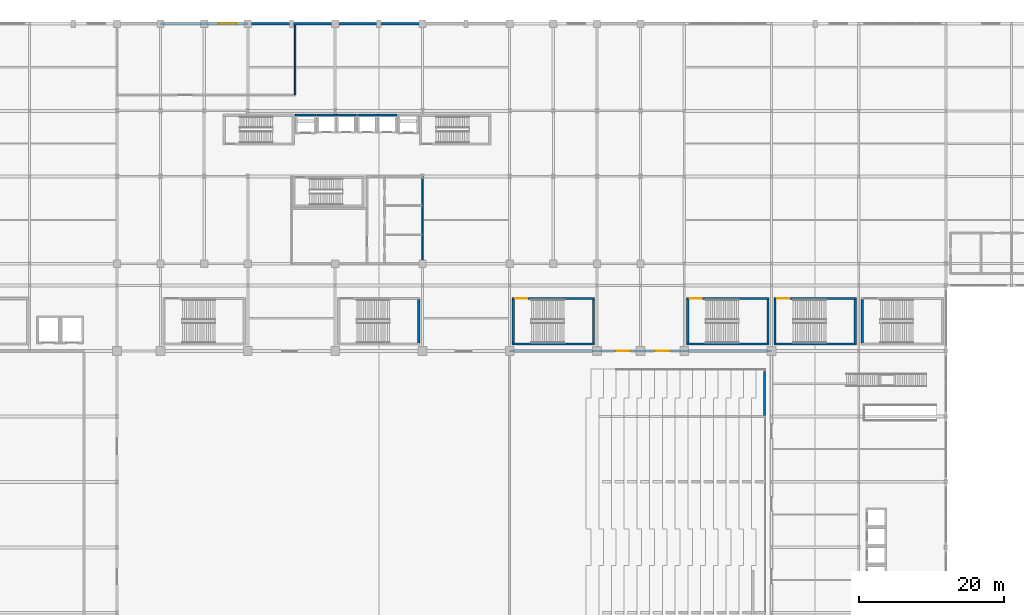
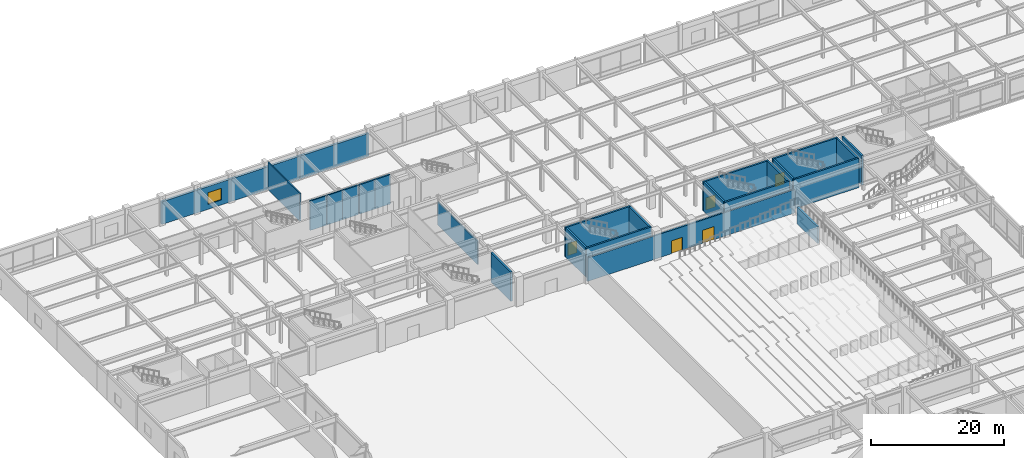
# One storey, part 85 of 100: 26 walls, 5 doors, 1 window, 6 openings.
"""IFC4 building model written with IfcOpenShell, lengths in metres."""

from ifc_helpers import new_model, si_unit, direction, frame, frame_2d, origin, place, context, subcontext, project, spatial, rectangle, extrude, material, layer, layer_set, type_object, element, fill, save


model = new_model("IFC4")

# Units and contexts
model_context = context("Model", 3, precision=1e-05, world=origin(), true_north=direction((0.0, 1.0)))
body_context = subcontext(model_context, "Body", "Model", "MODEL_VIEW")
ifc_project = project(units=[si_unit("LENGTHUNIT", "METRE"), si_unit("AREAUNIT", "SQUARE_METRE"), si_unit("VOLUMEUNIT", "CUBIC_METRE"), si_unit("PLANEANGLEUNIT", "RADIAN"), si_unit("MASSUNIT", "GRAM", prefix="KILO")], contexts=[model_context])

# Site, building, storey
site_placement = place(None, origin())
site = spatial("IfcSite", under=ifc_project, at=site_placement, CompositionType="ELEMENT")
building_placement = place(site_placement, origin())
building = spatial("IfcBuilding", under=site, at=building_placement, Name="Kaldorvane Square Convention Centre", CompositionType="ELEMENT")
storey_placement = place(building_placement, frame((0.0, 0.0, 18.0)))
storey = spatial("IfcBuildingStorey", under=building, at=storey_placement, Name="L03", CompositionType="ELEMENT", Elevation=18.0)

# Wall, openings, doors
ifc_material_1 = material(Name="Reinforced Concrete Masonry Acoustic Partition", Category="masonry")
ifc_layer_1 = layer(ifc_material_1, 0.279998779296875)
ifc_layer_set_1 = layer_set([ifc_layer_1], Name="Reinforced Concrete Masonry Acoustic Partition")
wall_type_1 = type_object("IfcWallType", Name="WL-ACO-280", PredefinedType="PARTITIONING", material=ifc_layer_set_1)
wall_1_placement = place(storey_placement, frame((114.0, 72.0, 0.0), z_axis=(0.0, 0.0, 1.0), x_axis=(-1.0, 0.0, 0.0)))
wall_1 = element("IfcWall", 1, at=wall_1_placement, inside=storey, type_object=wall_type_1, Name="Plenary Hall N Wall", PredefinedType="PARTITIONING", context=body_context, shape_type="SweptSolid", body=[
    extrude(rectangle(XDim=36.0, YDim=0.279998779296875, at=frame_2d((18.0, 0.0))), origin(), (0.0, 0.0, 1.0), 4.302001953125),
])
opening_1_placement = place(wall_1_placement, frame((14.0, 0.0, 0.0)))
opening_1 = element("IfcOpeningElement", 2, at=opening_1_placement, cuts=wall_1, Name="Opening ID-04", PredefinedType="OPENING", context=body_context, shape_type="SweptSolid", body=[
    extrude(rectangle(XDim=2.0, YDim=2.399993896484375, at=frame_2d((1.0, 1.1999969482421875))), frame((0.0, 0.154998779296875, 0.0), z_axis=(0.0, -1.0, 0.0), x_axis=(1.0, 0.0, 0.0)), (0.0, 0.0, 1.0), 0.30999755859375),
])
opening_2_placement = place(wall_1_placement, frame((19.5, 0.0, 0.0)))
opening_2 = element("IfcOpeningElement", 3, at=opening_2_placement, cuts=wall_1, Name="Opening ID-05", PredefinedType="OPENING", context=body_context, shape_type="SweptSolid", body=[
    extrude(rectangle(XDim=1.899993896484375, YDim=2.350006103515625, at=frame_2d((0.9499969482421875, 1.1750030517578125))), frame((0.0, 0.154998779296875, 0.0), z_axis=(0.0, -1.0, 0.0), x_axis=(1.0, 0.0, 0.0)), (0.0, 0.0, 1.0), 0.30999755859375),
])
ifc_material_2 = material(Name="Architectural Solid-Core White Oak")
door_type_1 = type_object("IfcDoorType", Name="DR-PLEN-1900X2350", OperationType="DOUBLE_DOOR_SINGLE_SWING", PredefinedType="DOOR", material=ifc_material_2)
door_1_placement = place(opening_2_placement, origin())
door_1 = element("IfcDoor", 4, at=door_1_placement, inside=storey, type_object=door_type_1, Name="Plenary Hall Door 8", OperationType="DOUBLE_DOOR_SINGLE_SWING", OverallHeight=2.350006103515625, OverallWidth=1.899993896484375, PredefinedType="DOOR", context=body_context, shape_type="SweptSolid", body=[
    extrude(rectangle(XDim=1.899993896484375, YDim=2.350006103515625, at=frame_2d((0.9499969482421875, 1.1750030517578125))), frame((0.0, 0.024993896484375, 0.0), z_axis=(0.0, -1.0, 0.0), x_axis=(1.0, 0.0, 0.0)), (0.0, 0.0, 1.0), 0.0500030517578125),
])
fill(opening_2, door_1)
door_type_2 = type_object("IfcDoorType", Name="DR-PLEN-2000X2400", OperationType="DOUBLE_DOOR_SINGLE_SWING", PredefinedType="DOOR", material=ifc_material_2)
door_2_placement = place(opening_1_placement, origin())
door_2 = element("IfcDoor", 5, at=door_2_placement, inside=storey, type_object=door_type_2, Name="Plenary Hall Door 7", OperationType="DOUBLE_DOOR_SINGLE_SWING", OverallHeight=2.399993896484375, OverallWidth=2.0, PredefinedType="DOOR", context=body_context, shape_type="SweptSolid", body=[
    extrude(rectangle(XDim=2.0, YDim=2.399993896484375, at=frame_2d((1.0, 1.1999969482421875))), frame((0.0, 0.024993896484375, 0.0), z_axis=(0.0, -1.0, 0.0), x_axis=(1.0, 0.0, 0.0)), (0.0, 0.0, 1.0), 0.0500030517578125),
])
fill(opening_1, door_2)

# Walls
ifc_material_3 = material(Name="Fire-Rated Gypsum Board on Acoustic Steel Studs", Category="steel")
ifc_layer_2 = layer(ifc_material_3, 0.1999969482421875)
ifc_layer_set_2 = layer_set([ifc_layer_2], Name="Fire-Rated Gypsum Board on Acoustic Steel Studs")
wall_type_2 = type_object("IfcWallType", Name="WL-CORR-200", PredefinedType="PARTITIONING", material=ifc_layer_set_2)
wall_2_placement = place(storey_placement, frame((66.0, 84.0, 0.0), z_axis=(0.0, 0.0, 1.0), x_axis=(0.0, 1.0, 0.0)))
element("IfcWall", 6, at=wall_2_placement, inside=storey, type_object=wall_type_2, Name="Restroom East Wall (L03)", PredefinedType="PARTITIONING", context=body_context, shape_type="SweptSolid", body=[
    extrude(rectangle(XDim=12.0, YDim=0.1999969482421875, at=frame_2d((6.0, 0.0))), origin(), (0.0, 0.0, 1.0), 4.2299957275390625),
])
wall_3_placement = place(storey_placement, frame((48.5, 107.19999694824219, 0.0), z_axis=(0.0, 0.0, 1.0), x_axis=(0.0, 1.0, 0.0)))
element("IfcWall", 7, at=wall_3_placement, inside=storey, type_object=wall_type_2, Name="Hotel Executive Business Centre E Wall", PredefinedType="PARTITIONING", context=body_context, shape_type="SweptSolid", body=[
    extrude(rectangle(XDim=9.610000610351562, YDim=0.1999969482421875, at=frame_2d((4.80499267578125, 0.0))), origin(), (0.0, 0.0, 1.0), 5.0800018310546875),
])

# Wall, opening, window
ifc_material_4 = material(Name="Concrete f'c = 42 MPa (Normalweight)", Category="concrete")
ifc_layer_3 = layer(ifc_material_4, 0.3800048828125)
ifc_layer_set_3 = layer_set([ifc_layer_3], Name="Concrete f'c = 42 MPa (Normalweight)")
wall_type_3 = type_object("IfcWallType", Name="WL-EXT-380", PredefinedType="STANDARD", material=ifc_layer_set_3)
wall_4_placement = place(storey_placement, frame((42.0, 117.0, 0.0), z_axis=(0.0, 0.0, 1.0), x_axis=(-1.0, 0.0, 0.0)))
wall_4 = element("IfcWall", 8, at=wall_4_placement, inside=storey, type_object=wall_type_3, Name="North Square Brutalist Facade Wall (L03)", PredefinedType="STANDARD", context=body_context, shape_type="SweptSolid", body=[
    extrude(rectangle(XDim=12.0, YDim=0.3800048828125, at=frame_2d((6.0, 0.0))), origin(), (0.0, 0.0, 1.0), 4.175994873046875),
])
opening_3_placement = place(wall_4_placement, frame((1.600006103515625, 0.0, 0.899993896484375)))
opening_3 = element("IfcOpeningElement", 9, at=opening_3_placement, cuts=wall_4, Name="Opening W-19", PredefinedType="OPENING", context=body_context, shape_type="SweptSolid", body=[
    extrude(rectangle(XDim=2.399993896484375, YDim=2.149993896484375, at=frame_2d((1.1999969482421875, 1.0749969482421875))), frame((0.0, 0.2050018310546875, 0.0), z_axis=(0.0, -1.0, 0.0), x_axis=(1.0, 0.0, 0.0)), (0.0, 0.0, 1.0), 0.410003662109375),
])
ifc_material_5 = material(Name="Anodized Aluminum and Low-E Insulated Glazing", Category="aluminium")
window_type = type_object("IfcWindowType", Name="WN-POD-2400X2150", PartitioningType="DOUBLE_PANEL_VERTICAL", PredefinedType="WINDOW", material=ifc_material_5)
window_placement = place(opening_3_placement, origin())
window = element("IfcWindow", 10, at=window_placement, inside=storey, type_object=window_type, Name="North Facade Window (L03)", OverallHeight=2.149993896484375, OverallWidth=2.399993896484375, PartitioningType="DOUBLE_PANEL_VERTICAL", PredefinedType="WINDOW", context=body_context, shape_type="SweptSolid", body=[
    extrude(rectangle(XDim=2.399993896484375, YDim=2.149993896484375, at=frame_2d((1.1999969482421875, 1.0749969482421875))), frame((0.0, 0.029998779296875, 0.0), z_axis=(0.0, -1.0, 0.0), x_axis=(1.0, 0.0, 0.0)), (0.0, 0.0, 1.0), 0.05999755859375),
])
fill(opening_3, window)

# Walls
for number, where, z_axis, x_axis, name in (
    (11, (54.0, 117.0, 0.0), (0.0, 0.0, 1.0), (-1.0, 0.0, 0.0), "North Square Brutalist Facade Wall (L03)"),
    (12, (66.0, 117.0, 0.0), (0.0, 0.0, 1.0), (-1.0, 0.0, 0.0), "North Square Brutalist Facade Wall (L03)"),
):
    element("IfcWall", number, at=place(storey_placement, frame(where, z_axis=z_axis, x_axis=x_axis)), inside=storey, type_object=wall_type_3, Name=name, PredefinedType="STANDARD", context=body_context, shape_type="SweptSolid", body=[
        extrude(rectangle(XDim=12.0, YDim=0.3800048828125, at=frame_2d((6.0, 0.0))), origin(), (0.0, 0.0, 1.0), 4.175994873046875),
    ])
ifc_material_6 = material(Name="Concrete f'c = 55 MPa (Normalweight)", Category="concrete")
ifc_layer_4 = layer(ifc_material_6, 0.3000030517578125)
ifc_layer_set_4 = layer_set([ifc_layer_4], Name="Concrete f'c = 55 MPa (Normalweight)")
wall_type_4 = type_object("IfcWallType", Name="WL-SHAFT-300", PredefinedType="SHEAR", material=ifc_layer_set_4)
wall_5_placement = place(storey_placement, frame((113.03999328613281, 63.149993896484375, 0.0), z_axis=(0.0, 0.0, 1.0), x_axis=(0.0, 1.0, 0.0)))
element("IfcWall", 13, at=wall_5_placement, inside=storey, type_object=wall_type_4, Name="Plenary Tier 14 Support Wall 3", PredefinedType="SHEAR", context=body_context, shape_type="SweptSolid", body=[
    extrude(rectangle(XDim=6.0500030517578125, YDim=0.3000030517578125, at=frame_2d((3.024993896484375, 0.0))), origin(), (0.0, 0.0, 1.0), 3.1199951171875),
])
wall_6_placement = place(storey_placement, frame((65.50999450683594, 73.10000610351562, 0.0), z_axis=(0.0, 0.0, 1.0), x_axis=(0.0, 1.0, 0.0)))
element("IfcWall", 14, at=wall_6_placement, inside=storey, type_object=wall_type_4, Name="Core Enclosure Wall stair:ST-C14-E (L03)", PredefinedType="SHEAR", context=body_context, shape_type="SweptSolid", body=[
    extrude(rectangle(XDim=5.959991455078125, YDim=0.3000030517578125, at=frame_2d((2.9799957275390625, 0.0))), origin(), (0.0, 0.0, 1.0), 5.399993896484375),
])
wall_7_placement = place(storey_placement, frame((78.33999633789062, 72.94999694824219, 0.0), z_axis=(0.0, 0.0, 1.0), x_axis=(1.0, 0.0, 0.0)))
element("IfcWall", 15, at=wall_7_placement, inside=storey, type_object=wall_type_4, Name="Core Enclosure Wall stair:ST-C15-S (L03)", PredefinedType="SHEAR", context=body_context, shape_type="SweptSolid", body=[
    extrude(rectangle(XDim=11.32000732421875, YDim=0.3000030517578125, at=frame_2d((5.660003662109375, 0.0))), origin(), (0.0, 0.0, 1.0), 5.399993896484375),
])

# Wall, opening, door
wall_8_placement = place(storey_placement, frame((89.66000366210938, 79.21000671386719, 0.0), z_axis=(0.0, 0.0, 1.0), x_axis=(-1.0, 0.0, 0.0)))
wall_8 = element("IfcWall", 16, at=wall_8_placement, inside=storey, type_object=wall_type_4, Name="Core Enclosure Wall stair:ST-C15-N (L03)", PredefinedType="SHEAR", context=body_context, shape_type="SweptSolid", body=[
    extrude(rectangle(XDim=11.32000732421875, YDim=0.3000030517578125, at=frame_2d((5.660003662109375, 0.0))), origin(), (0.0, 0.0, 1.0), 5.399993896484375),
])
opening_4_placement = place(wall_8_placement, frame((9.220001220703125, 0.0, 0.0)))
opening_4 = element("IfcOpeningElement", 17, at=opening_4_placement, cuts=wall_8, Name="Opening FD90-S2", PredefinedType="OPENING", context=body_context, shape_type="SweptSolid", body=[
    extrude(rectangle(XDim=1.649993896484375, YDim=2.25, at=frame_2d((0.8249969482421875, 1.125))), frame((0.0, 0.165008544921875, 0.0), z_axis=(0.0, -1.0, 0.0), x_axis=(1.0, 0.0, 0.0)), (0.0, 0.0, 1.0), 0.3300018310546875),
])
ifc_material_7 = material(Name="Fire-Rated Hollow Metal Steel", Category="steel")
door_type_3 = type_object("IfcDoorType", Name="DR-STAIR-1650", OperationType="DOUBLE_DOOR_SINGLE_SWING", PredefinedType="DOOR", material=ifc_material_7)
door_3_placement = place(opening_4_placement, origin())
door_3 = element("IfcDoor", 18, at=door_3_placement, inside=storey, type_object=door_type_3, Name="Convention Exit Stair C15 Fire Door (L03)", OperationType="DOUBLE_DOOR_SINGLE_SWING", OverallHeight=2.25, OverallWidth=1.649993896484375, PredefinedType="DOOR", context=body_context, shape_type="SweptSolid", body=[
    extrude(rectangle(XDim=1.649993896484375, YDim=2.25, at=frame_2d((0.8249969482421875, 1.125))), frame((0.0, 0.024993896484375, 0.0), z_axis=(0.0, -1.0, 0.0), x_axis=(1.0, 0.0, 0.0)), (0.0, 0.0, 1.0), 0.0500030517578125),
])
fill(opening_4, door_3)

# Walls
for number, where, z_axis, x_axis, name in (
    (19, (78.49000549316406, 79.05999755859375, 0.0), (0.0, 0.0, 1.0), (0.0, -1.0, 0.0), "Core Enclosure Wall stair:ST-C15-W (L03)"),
    (20, (89.50999450683594, 73.10000610351562, 0.0), (0.0, 0.0, 1.0), (0.0, 1.0, 0.0), "Core Enclosure Wall stair:ST-C15-E (L03)"),
):
    element("IfcWall", number, at=place(storey_placement, frame(where, z_axis=z_axis, x_axis=x_axis)), inside=storey, type_object=wall_type_4, Name=name, PredefinedType="SHEAR", context=body_context, shape_type="SweptSolid", body=[
        extrude(rectangle(XDim=5.959991455078125, YDim=0.3000030517578125, at=frame_2d((2.9799957275390625, 0.0))), origin(), (0.0, 0.0, 1.0), 5.399993896484375),
    ])
wall_9_placement = place(storey_placement, frame((102.33999633789062, 72.94999694824219, 0.0), z_axis=(0.0, 0.0, 1.0), x_axis=(1.0, 0.0, 0.0)))
element("IfcWall", 21, at=wall_9_placement, inside=storey, type_object=wall_type_4, Name="Core Enclosure Wall stair:ST-C16-S (L03)", PredefinedType="SHEAR", context=body_context, shape_type="SweptSolid", body=[
    extrude(rectangle(XDim=11.32000732421875, YDim=0.3000030517578125, at=frame_2d((5.660003662109375, 0.0))), origin(), (0.0, 0.0, 1.0), 5.399993896484375),
])

# Wall, opening, door
wall_10_placement = place(storey_placement, frame((113.66000366210938, 79.21000671386719, 0.0), z_axis=(0.0, 0.0, 1.0), x_axis=(-1.0, 0.0, 0.0)))
wall_10 = element("IfcWall", 22, at=wall_10_placement, inside=storey, type_object=wall_type_4, Name="Core Enclosure Wall stair:ST-C16-N (L03)", PredefinedType="SHEAR", context=body_context, shape_type="SweptSolid", body=[
    extrude(rectangle(XDim=11.32000732421875, YDim=0.3000030517578125, at=frame_2d((5.660003662109375, 0.0))), origin(), (0.0, 0.0, 1.0), 5.399993896484375),
])
opening_5_placement = place(wall_10_placement, frame((9.220001220703125, 0.0, 0.0)))
opening_5 = element("IfcOpeningElement", 23, at=opening_5_placement, cuts=wall_10, Name="Opening FD90-S2", PredefinedType="OPENING", context=body_context, shape_type="SweptSolid", body=[
    extrude(rectangle(XDim=1.649993896484375, YDim=2.25, at=frame_2d((0.8249969482421875, 1.125))), frame((0.0, 0.165008544921875, 0.0), z_axis=(0.0, -1.0, 0.0), x_axis=(1.0, 0.0, 0.0)), (0.0, 0.0, 1.0), 0.3300018310546875),
])
door_4_placement = place(opening_5_placement, origin())
door_4 = element("IfcDoor", 24, at=door_4_placement, inside=storey, type_object=door_type_3, Name="Convention Exit Stair C16 Fire Door (L03)", OperationType="DOUBLE_DOOR_SINGLE_SWING", OverallHeight=2.25, OverallWidth=1.649993896484375, PredefinedType="DOOR", context=body_context, shape_type="SweptSolid", body=[
    extrude(rectangle(XDim=1.649993896484375, YDim=2.25, at=frame_2d((0.8249969482421875, 1.125))), frame((0.0, 0.024993896484375, 0.0), z_axis=(0.0, -1.0, 0.0), x_axis=(1.0, 0.0, 0.0)), (0.0, 0.0, 1.0), 0.0500030517578125),
])
fill(opening_5, door_4)

# Walls
for number, where, z_axis, x_axis, name in (
    (25, (102.49000549316406, 79.05999755859375, 0.0), (0.0, 0.0, 1.0), (0.0, -1.0, 0.0), "Core Enclosure Wall stair:ST-C16-W (L03)"),
    (26, (113.50999450683594, 73.10000610351562, 0.0), (0.0, 0.0, 1.0), (0.0, 1.0, 0.0), "Core Enclosure Wall stair:ST-C16-E (L03)"),
):
    element("IfcWall", number, at=place(storey_placement, frame(where, z_axis=z_axis, x_axis=x_axis)), inside=storey, type_object=wall_type_4, Name=name, PredefinedType="SHEAR", context=body_context, shape_type="SweptSolid", body=[
        extrude(rectangle(XDim=5.959991455078125, YDim=0.3000030517578125, at=frame_2d((2.9799957275390625, 0.0))), origin(), (0.0, 0.0, 1.0), 5.399993896484375),
    ])
wall_11_placement = place(storey_placement, frame((114.33999633789062, 72.94999694824219, 0.0), z_axis=(0.0, 0.0, 1.0), x_axis=(1.0, 0.0, 0.0)))
element("IfcWall", 27, at=wall_11_placement, inside=storey, type_object=wall_type_4, Name="Core Enclosure Wall stair:ST-C17-S (L03)", PredefinedType="SHEAR", context=body_context, shape_type="SweptSolid", body=[
    extrude(rectangle(XDim=11.32000732421875, YDim=0.3000030517578125, at=frame_2d((5.660003662109375, 0.0))), origin(), (0.0, 0.0, 1.0), 5.399993896484375),
])

# Wall, opening, door
wall_12_placement = place(storey_placement, frame((125.66000366210938, 79.21000671386719, 0.0), z_axis=(0.0, 0.0, 1.0), x_axis=(-1.0, 0.0, 0.0)))
wall_12 = element("IfcWall", 28, at=wall_12_placement, inside=storey, type_object=wall_type_4, Name="Core Enclosure Wall stair:ST-C17-N (L03)", PredefinedType="SHEAR", context=body_context, shape_type="SweptSolid", body=[
    extrude(rectangle(XDim=11.32000732421875, YDim=0.3000030517578125, at=frame_2d((5.660003662109375, 0.0))), origin(), (0.0, 0.0, 1.0), 5.399993896484375),
])
opening_6_placement = place(wall_12_placement, frame((9.220001220703125, 0.0, 0.0)))
opening_6 = element("IfcOpeningElement", 29, at=opening_6_placement, cuts=wall_12, Name="Opening FD90-S2", PredefinedType="OPENING", context=body_context, shape_type="SweptSolid", body=[
    extrude(rectangle(XDim=1.649993896484375, YDim=2.25, at=frame_2d((0.8249969482421875, 1.125))), frame((0.0, 0.165008544921875, 0.0), z_axis=(0.0, -1.0, 0.0), x_axis=(1.0, 0.0, 0.0)), (0.0, 0.0, 1.0), 0.3300018310546875),
])
door_5_placement = place(opening_6_placement, origin())
door_5 = element("IfcDoor", 30, at=door_5_placement, inside=storey, type_object=door_type_3, Name="Convention Exit Stair C17 Fire Door (L03)", OperationType="DOUBLE_DOOR_SINGLE_SWING", OverallHeight=2.25, OverallWidth=1.649993896484375, PredefinedType="DOOR", context=body_context, shape_type="SweptSolid", body=[
    extrude(rectangle(XDim=1.649993896484375, YDim=2.25, at=frame_2d((0.8249969482421875, 1.125))), frame((0.0, 0.024993896484375, 0.0), z_axis=(0.0, -1.0, 0.0), x_axis=(1.0, 0.0, 0.0)), (0.0, 0.0, 1.0), 0.0500030517578125),
])
fill(opening_6, door_5)

# Walls
for number, where, z_axis, x_axis, name in (
    (31, (114.49000549316406, 79.05999755859375, 0.0), (0.0, 0.0, 1.0), (0.0, -1.0, 0.0), "Core Enclosure Wall stair:ST-C17-W (L03)"),
    (32, (125.50999450683594, 73.10000610351562, 0.0), (0.0, 0.0, 1.0), (0.0, 1.0, 0.0), "Core Enclosure Wall stair:ST-C17-E (L03)"),
    (33, (126.49000549316406, 79.05999755859375, 0.0), (0.0, 0.0, 1.0), (0.0, -1.0, 0.0), "Core Enclosure Wall stair:ST-C18-W (L03)"),
):
    element("IfcWall", number, at=place(storey_placement, frame(where, z_axis=z_axis, x_axis=x_axis)), inside=storey, type_object=wall_type_4, Name=name, PredefinedType="SHEAR", context=body_context, shape_type="SweptSolid", body=[
        extrude(rectangle(XDim=5.959991455078125, YDim=0.3000030517578125, at=frame_2d((2.9799957275390625, 0.0))), origin(), (0.0, 0.0, 1.0), 5.399993896484375),
    ])
wall_13_placement = place(storey_placement, frame((51.350006103515625, 104.42500305175781, 0.0), z_axis=(0.0, 0.0, 1.0), x_axis=(-1.0, 0.0, 0.0)))
element("IfcWall", 34, at=wall_13_placement, inside=storey, type_object=wall_type_4, Name="Core Enclosure Wall lift:FSAE-01-N (L03)", PredefinedType="SHEAR", context=body_context, shape_type="SweptSolid", body=[
    extrude(rectangle(XDim=2.8000030517578125, YDim=0.25, at=frame_2d((1.399993896484375, 0.0))), origin(), (0.0, 0.0, 1.0), 5.399993896484375),
])
for number, where, z_axis, x_axis, name in (
    (35, (54.19999694824219, 104.42500305175781, 0.0), (0.0, 0.0, 1.0), (-1.0, 0.0, 0.0), "Core Enclosure Wall lift:EL-P1-N (L03)"),
    (36, (56.899993896484375, 104.42500305175781, 0.0), (0.0, 0.0, 1.0), (-1.0, 0.0, 0.0), "Core Enclosure Wall lift:EL-P2-N (L03)"),
    (37, (59.80000305175781, 104.42500305175781, 0.0), (0.0, 0.0, 1.0), (-1.0, 0.0, 0.0), "Core Enclosure Wall lift:EL-P3-N (L03)"),
    (38, (62.5, 104.42500305175781, 0.0), (0.0, 0.0, 1.0), (-1.0, 0.0, 0.0), "Core Enclosure Wall lift:EL-P4-N (L03)"),
):
    element("IfcWall", number, at=place(storey_placement, frame(where, z_axis=z_axis, x_axis=x_axis)), inside=storey, type_object=wall_type_4, Name=name, PredefinedType="SHEAR", context=body_context, shape_type="SweptSolid", body=[
        extrude(rectangle(XDim=2.6999969482421875, YDim=0.25, at=frame_2d((1.350006103515625, 0.0))), origin(), (0.0, 0.0, 1.0), 5.399993896484375),
    ])

save(model, "model.ifc")
